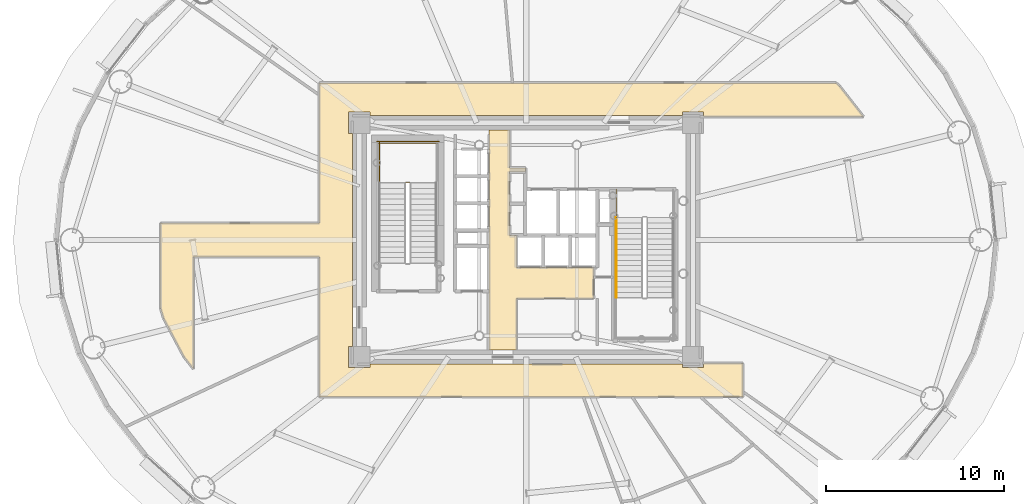
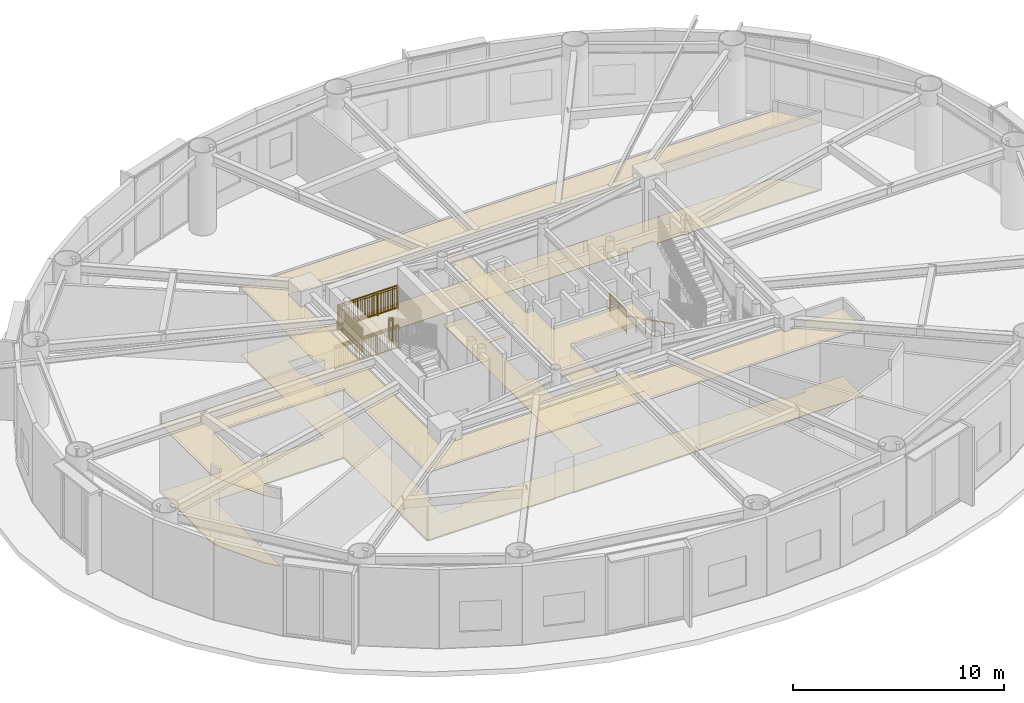
# One storey, part 34 of 38: 6 railings, 4 coverings.
"""IFC4 building model written with IfcOpenShell, lengths in metres."""

from ifc_helpers import new_model, si_unit, direction, frame, origin, origin_2d, place, context, subcontext, project, spatial, polyline, rectangle, outline, extrude, source, transform, mapped, material, layer, layer_set, type_object, element, save


model = new_model("IFC4")

# Units and contexts
model_context = context("Model", 3, precision=1e-05, world=origin(), true_north=direction((0.0, 1.0)))
body_context = subcontext(model_context, "Body", "Model", "MODEL_VIEW")
ifc_project = project(units=[si_unit("LENGTHUNIT", "METRE"), si_unit("AREAUNIT", "SQUARE_METRE"), si_unit("VOLUMEUNIT", "CUBIC_METRE"), si_unit("PLANEANGLEUNIT", "RADIAN"), si_unit("MASSUNIT", "GRAM", prefix="KILO")], contexts=[model_context])

# Site, building, storey
site_placement = place(None, origin())
site = spatial("IfcSite", under=ifc_project, at=site_placement, CompositionType="ELEMENT")
building_placement = place(site_placement, origin())
building = spatial("IfcBuilding", under=site, at=building_placement, Name="Linh Dai School and Residence Tower", CompositionType="ELEMENT")
storey_placement = place(building_placement, frame((0.0, 0.0, 151.35009765625)))
storey = spatial("IfcBuildingStorey", under=building, at=storey_placement, Name="L36", CompositionType="ELEMENT", Elevation=151.35009765625)

# Coverings
ifc_material_1 = material(Name="Mineral Fibre Acoustic Suspended Ceiling", Category="masonry")
ifc_layer_1 = layer(ifc_material_1, 0.02001953125)
ifc_layer_set_1 = layer_set([ifc_layer_1], Name="Mineral Fibre Acoustic Suspended Ceiling")
covering_type_1 = type_object("IfcCoveringType", Name="COV-CEIL-AC-20", PredefinedType="CEILING", material=ifc_layer_set_1)
covering_1_placement = place(storey_placement, frame((0.0, 0.0, 3.89990234375)))
element("IfcCovering", 1, at=covering_1_placement, inside=storey, type_object=covering_type_1, Name="L36 Passenger Lift Lobby Suspended Ceiling", PredefinedType="CEILING", context=body_context, shape_type="SweptSolid", body=[
    extrude(outline(polyline([(35.050048828125, 33.199951171875), (35.050048828125, 31.050048828125), (35.949951171875, 31.050048828125), (35.949951171875, 30.85009765625), (35.050048828125, 30.85009765625), (35.050048828125, 27.25), (35.449951171875, 27.25), (35.449951171875, 25.449951171875), (39.800048828125, 25.449951171875), (39.800048828125, 23.699951171875), (35.449951171875, 23.699951171875), (35.449951171875, 20.800048828125), (33.89990234375, 20.800048828125), (33.89990234375, 33.199951171875), (35.050048828125, 33.199951171875)])), origin(), (0.0, 0.0, 1.0), 0.02001953125),
])
covering_2_placement = place(storey_placement, frame((0.0, 0.0, 3.89990234375)))
element("IfcCovering", 2, at=covering_2_placement, inside=storey, type_object=covering_type_1, Name="L36 Residential Floor Corridor Suspended Ceiling", PredefinedType="CEILING", context=body_context, shape_type="SweptSolid", body=[
    extrude(outline(polyline([(17.25, 19.734375), (16.720458984375, 20.410888671875), (15.57421875, 22.577880859375), (15.39990234375, 23.14599609375), (15.39990234375, 27.949951171875), (24.35009765625, 27.949951171875), (24.35009765625, 35.85009765625), (53.453857421875, 35.85009765625), (53.6533203125, 35.6669921875), (54.9970703125, 33.949951171875), (46.0, 33.949951171875), (46.0, 34.199951171875), (44.800048828125, 34.199951171875), (44.800048828125, 34.0), (27.199951171875, 34.0), (27.199951171875, 34.199951171875), (26.0, 34.199951171875), (26.0, 33.0), (26.199951171875, 33.0), (26.199951171875, 21.0), (26.0, 21.0), (26.0, 19.800048828125), (27.199951171875, 19.800048828125), (27.199951171875, 20.0), (44.800048828125, 20.0), (44.800048828125, 19.800048828125), (46.0, 19.800048828125), (46.0, 20.050048828125), (48.199951171875, 20.050048828125), (48.199951171875, 18.14990234375), (24.35009765625, 18.14990234375), (24.35009765625, 26.050048828125), (17.25, 26.050048828125), (17.25, 19.734375)])), origin(), (0.0, 0.0, 1.0), 0.02001953125),
])
ifc_material_2 = material(Name="Polished Terrazzo Floor Finish", Category="masonry")
ifc_layer_2 = layer(ifc_material_2, 0.02490234375)
ifc_layer_set_2 = layer_set([ifc_layer_2], Name="Polished Terrazzo Floor Finish")
covering_type_2 = type_object("IfcCoveringType", Name="COV-FLR-TRZ-25", PredefinedType="FLOORING", material=ifc_layer_set_2)
covering_3_placement = place(storey_placement, origin())
element("IfcCovering", 3, at=covering_3_placement, inside=storey, type_object=covering_type_2, Name="L36 Passenger Lift Lobby Floor Finish", PredefinedType="FLOORING", context=body_context, shape_type="SweptSolid", body=[
    extrude(outline(polyline([(35.050048828125, 33.199951171875), (35.050048828125, 31.050048828125), (35.949951171875, 31.050048828125), (35.949951171875, 30.85009765625), (35.050048828125, 30.85009765625), (35.050048828125, 27.25), (35.449951171875, 27.25), (35.449951171875, 25.449951171875), (39.800048828125, 25.449951171875), (39.800048828125, 23.699951171875), (35.449951171875, 23.699951171875), (35.449951171875, 20.800048828125), (33.89990234375, 20.800048828125), (33.89990234375, 33.199951171875), (35.050048828125, 33.199951171875)])), origin(), (0.0, 0.0, 1.0), 0.02001953125),
])
covering_4_placement = place(storey_placement, origin())
element("IfcCovering", 4, at=covering_4_placement, inside=storey, type_object=covering_type_2, Name="L36 Residential Floor Corridor Floor Finish", PredefinedType="FLOORING", context=body_context, shape_type="SweptSolid", body=[
    extrude(outline(polyline([(17.25, 19.734375), (16.720458984375, 20.410888671875), (15.57421875, 22.577880859375), (15.39990234375, 23.14599609375), (15.39990234375, 27.949951171875), (24.35009765625, 27.949951171875), (24.35009765625, 35.85009765625), (53.453857421875, 35.85009765625), (53.6533203125, 35.6669921875), (54.9970703125, 33.949951171875), (46.0, 33.949951171875), (46.0, 34.199951171875), (44.800048828125, 34.199951171875), (44.800048828125, 34.0), (27.199951171875, 34.0), (27.199951171875, 34.199951171875), (26.0, 34.199951171875), (26.0, 33.0), (26.199951171875, 33.0), (26.199951171875, 21.0), (26.0, 21.0), (26.0, 19.800048828125), (27.199951171875, 19.800048828125), (27.199951171875, 20.0), (44.800048828125, 20.0), (44.800048828125, 19.800048828125), (46.0, 19.800048828125), (46.0, 20.050048828125), (48.199951171875, 20.050048828125), (48.199951171875, 18.14990234375), (24.35009765625, 18.14990234375), (24.35009765625, 26.050048828125), (17.25, 26.050048828125), (17.25, 19.734375)])), origin(), (0.0, 0.0, 1.0), 0.02001953125),
])

# Railings
ifc_material_3 = material(Name="Structural Steel S355JR", Category="steel")
railing_type_1 = type_object("IfcRailingType", Name="RL-ST-GUARD-1400", PredefinedType="GUARDRAIL", material=ifc_material_3)
shared_shape_1 = source(origin(), body_context, "Body", "SweptSolid", [
    extrude(rectangle(XDim=0.048095703125, YDim=0.048095703125, at=origin_2d()), frame((0.0, 0.0, 1.3759765625), z_axis=(-1.0, 0.0, 0.0), x_axis=(0.0, -1.0, 0.0)), (0.0, 0.0, 1.0), 0.199951171875),
    extrude(rectangle(XDim=0.048095703125, YDim=0.048095703125, at=origin_2d()), frame((0.0, 0.0, 0.10009765625), z_axis=(-1.0, 0.0, 0.0), x_axis=(0.0, -1.0, 0.0)), (0.0, 0.0, 1.0), 0.199951171875),
    extrude(rectangle(XDim=0.030029296875, YDim=0.030029296875, at=origin_2d()), frame((0.0, 0.0, 1.239990234375), z_axis=(-1.0, 0.0, 0.0), x_axis=(0.0, -1.0, 0.0)), (0.0, 0.0, 1.0), 0.199951171875),
    extrude(rectangle(XDim=0.0419921875, YDim=0.0419921875, at=origin_2d()), origin(), (0.0, 0.0, 1.0), 1.3759765625),
    extrude(rectangle(XDim=0.0419921875, YDim=0.0419921875, at=origin_2d()), frame((-0.199951171875, 0.0, 0.0)), (0.0, 0.0, 1.0), 1.3759765625),
])
railing_1_placement = place(storey_placement, frame((29.429931640625, 30.25, 2.39990234375)))
element("IfcRailing", 5, at=railing_1_placement, inside=storey, type_object=railing_type_1, Name="L36 ST1 stair guard 2", PredefinedType="GUARDRAIL", context=body_context, shape_type="MappedRepresentation", body=[
    mapped(shared_shape_1, transform((0.0, 0.0, 0.0), x_axis=(1.0, 0.0, 0.0), y_axis=(0.0, 1.0, 0.0), z_axis=(0.0, 0.0, 1.0), scale=1.0)),
])
shared_shape_2 = source(origin(), body_context, "Body", "SweptSolid", [
    extrude(rectangle(XDim=0.048095703125, YDim=0.048095703125, at=origin_2d()), frame((0.0, 0.0, 1.3759765625), z_axis=(-1.0, 0.0, 0.0), x_axis=(0.0, -1.0, 0.0)), (0.0, 0.0, 1.0), 3.300048828125),
    extrude(rectangle(XDim=0.048095703125, YDim=0.048095703125, at=origin_2d()), frame((0.0, 0.0, 0.10009765625), z_axis=(-1.0, 0.0, 0.0), x_axis=(0.0, -1.0, 0.0)), (0.0, 0.0, 1.0), 3.300048828125),
    extrude(rectangle(XDim=0.030029296875, YDim=0.030029296875, at=origin_2d()), frame((0.0, 0.0, 1.239990234375), z_axis=(-1.0, 0.0, 0.0), x_axis=(0.0, -1.0, 0.0)), (0.0, 0.0, 1.0), 3.300048828125),
    extrude(rectangle(XDim=0.02001953125, YDim=0.02001953125, at=origin_2d()), frame((-0.09716796875, 0.0, 0.10009765625)), (0.0, 0.0, 1.0), 1.251708984375),
    extrude(rectangle(XDim=0.02001953125, YDim=0.02001953125, at=origin_2d()), frame((-0.194091796875, 0.0, 0.10009765625)), (0.0, 0.0, 1.0), 1.251708984375),
    extrude(rectangle(XDim=0.02001953125, YDim=0.02001953125, at=origin_2d()), frame((-0.291259765625, 0.0, 0.10009765625)), (0.0, 0.0, 1.0), 1.251708984375),
    extrude(rectangle(XDim=0.02001953125, YDim=0.02001953125, at=origin_2d()), frame((-0.38818359375, 0.0, 0.10009765625)), (0.0, 0.0, 1.0), 1.251708984375),
    extrude(rectangle(XDim=0.02001953125, YDim=0.02001953125, at=origin_2d()), frame((-0.4853515625, 0.0, 0.10009765625)), (0.0, 0.0, 1.0), 1.251708984375),
    extrude(rectangle(XDim=0.02001953125, YDim=0.02001953125, at=origin_2d()), frame((-0.582275390625, 0.0, 0.10009765625)), (0.0, 0.0, 1.0), 1.251708984375),
    extrude(rectangle(XDim=0.02001953125, YDim=0.02001953125, at=origin_2d()), frame((-0.679443359375, 0.0, 0.10009765625)), (0.0, 0.0, 1.0), 1.251708984375),
    extrude(rectangle(XDim=0.02001953125, YDim=0.02001953125, at=origin_2d()), frame((-0.7763671875, 0.0, 0.10009765625)), (0.0, 0.0, 1.0), 1.251708984375),
    extrude(rectangle(XDim=0.02001953125, YDim=0.02001953125, at=origin_2d()), frame((-0.87353515625, 0.0, 0.10009765625)), (0.0, 0.0, 1.0), 1.251708984375),
    extrude(rectangle(XDim=0.02001953125, YDim=0.02001953125, at=origin_2d()), frame((-0.970703125, 0.0, 0.10009765625)), (0.0, 0.0, 1.0), 1.251708984375),
    extrude(rectangle(XDim=0.02001953125, YDim=0.02001953125, at=origin_2d()), frame((-1.164794921875, 0.0, 0.10009765625)), (0.0, 0.0, 1.0), 1.251708984375),
    extrude(rectangle(XDim=0.02001953125, YDim=0.02001953125, at=origin_2d()), frame((-1.26171875, 0.0, 0.10009765625)), (0.0, 0.0, 1.0), 1.251708984375),
    extrude(rectangle(XDim=0.02001953125, YDim=0.02001953125, at=origin_2d()), frame((-1.35888671875, 0.0, 0.10009765625)), (0.0, 0.0, 1.0), 1.251708984375),
    extrude(rectangle(XDim=0.02001953125, YDim=0.02001953125, at=origin_2d()), frame((-1.455810546875, 0.0, 0.10009765625)), (0.0, 0.0, 1.0), 1.251708984375),
    extrude(rectangle(XDim=0.02001953125, YDim=0.02001953125, at=origin_2d()), frame((-1.552978515625, 0.0, 0.10009765625)), (0.0, 0.0, 1.0), 1.251708984375),
    extrude(rectangle(XDim=0.02001953125, YDim=0.02001953125, at=origin_2d()), frame((-1.64990234375, 0.0, 0.10009765625)), (0.0, 0.0, 1.0), 1.251708984375),
    extrude(rectangle(XDim=0.02001953125, YDim=0.02001953125, at=origin_2d()), frame((-1.7470703125, 0.0, 0.10009765625)), (0.0, 0.0, 1.0), 1.251708984375),
    extrude(rectangle(XDim=0.02001953125, YDim=0.02001953125, at=origin_2d()), frame((-1.84423828125, 0.0, 0.10009765625)), (0.0, 0.0, 1.0), 1.251708984375),
    extrude(rectangle(XDim=0.02001953125, YDim=0.02001953125, at=origin_2d()), frame((-1.941162109375, 0.0, 0.10009765625)), (0.0, 0.0, 1.0), 1.251708984375),
    extrude(rectangle(XDim=0.02001953125, YDim=0.02001953125, at=origin_2d()), frame((-2.038330078125, 0.0, 0.10009765625)), (0.0, 0.0, 1.0), 1.251708984375),
    extrude(rectangle(XDim=0.02001953125, YDim=0.02001953125, at=origin_2d()), frame((-2.13525390625, 0.0, 0.10009765625)), (0.0, 0.0, 1.0), 1.251708984375),
    extrude(rectangle(XDim=0.02001953125, YDim=0.02001953125, at=origin_2d()), frame((-2.329345703125, 0.0, 0.10009765625)), (0.0, 0.0, 1.0), 1.251708984375),
    extrude(rectangle(XDim=0.02001953125, YDim=0.02001953125, at=origin_2d()), frame((-2.426513671875, 0.0, 0.10009765625)), (0.0, 0.0, 1.0), 1.251708984375),
    extrude(rectangle(XDim=0.02001953125, YDim=0.02001953125, at=origin_2d()), frame((-2.523681640625, 0.0, 0.10009765625)), (0.0, 0.0, 1.0), 1.251708984375),
    extrude(rectangle(XDim=0.02001953125, YDim=0.02001953125, at=origin_2d()), frame((-2.62060546875, 0.0, 0.10009765625)), (0.0, 0.0, 1.0), 1.251708984375),
    extrude(rectangle(XDim=0.02001953125, YDim=0.02001953125, at=origin_2d()), frame((-2.7177734375, 0.0, 0.10009765625)), (0.0, 0.0, 1.0), 1.251708984375),
    extrude(rectangle(XDim=0.02001953125, YDim=0.02001953125, at=origin_2d()), frame((-2.814697265625, 0.0, 0.10009765625)), (0.0, 0.0, 1.0), 1.251708984375),
    extrude(rectangle(XDim=0.02001953125, YDim=0.02001953125, at=origin_2d()), frame((-2.911865234375, 0.0, 0.10009765625)), (0.0, 0.0, 1.0), 1.251708984375),
    extrude(rectangle(XDim=0.02001953125, YDim=0.02001953125, at=origin_2d()), frame((-3.0087890625, 0.0, 0.10009765625)), (0.0, 0.0, 1.0), 1.251708984375),
    extrude(rectangle(XDim=0.02001953125, YDim=0.02001953125, at=origin_2d()), frame((-3.10595703125, 0.0, 0.10009765625)), (0.0, 0.0, 1.0), 1.251708984375),
    extrude(rectangle(XDim=0.02001953125, YDim=0.02001953125, at=origin_2d()), frame((-3.202880859375, 0.0, 0.10009765625)), (0.0, 0.0, 1.0), 1.251708984375),
    extrude(rectangle(XDim=0.0419921875, YDim=0.0419921875, at=origin_2d()), origin(), (0.0, 0.0, 1.0), 1.3759765625),
    extrude(rectangle(XDim=0.0419921875, YDim=0.0419921875, at=origin_2d()), frame((-1.10009765625, 0.0, 0.0)), (0.0, 0.0, 1.0), 1.3759765625),
    extrude(rectangle(XDim=0.0419921875, YDim=0.0419921875, at=origin_2d()), frame((-2.199951171875, 0.0, 0.0)), (0.0, 0.0, 1.0), 1.3759765625),
    extrude(rectangle(XDim=0.0419921875, YDim=0.0419921875, at=origin_2d()), frame((-3.300048828125, 0.0, 0.0)), (0.0, 0.0, 1.0), 1.3759765625),
])
railing_2_placement = place(storey_placement, frame((30.97998046875, 32.449951171875, 2.39990234375)))
element("IfcRailing", 6, at=railing_2_placement, inside=storey, type_object=railing_type_1, Name="L36 ST1 stair guard 5", PredefinedType="GUARDRAIL", context=body_context, shape_type="MappedRepresentation", body=[
    mapped(shared_shape_2, transform((0.0, 0.0, 0.0), x_axis=(1.0, 0.0, 0.0), y_axis=(0.0, 1.0, 0.0), z_axis=(0.0, 0.0, 1.0), scale=1.0)),
])
shared_shape_3 = source(origin(), body_context, "Body", "SweptSolid", [
    extrude(rectangle(XDim=0.048095703125, YDim=0.048095703125, at=origin_2d()), frame((0.0, 0.0, 1.3759765625), z_axis=(-1.0, 0.0, 0.0), x_axis=(0.0, -1.0, 0.0)), (0.0, 0.0, 1.0), 3.5),
    extrude(rectangle(XDim=0.048095703125, YDim=0.048095703125, at=origin_2d()), frame((0.0, 0.0, 0.10009765625), z_axis=(-1.0, 0.0, 0.0), x_axis=(0.0, -1.0, 0.0)), (0.0, 0.0, 1.0), 3.5),
    extrude(rectangle(XDim=0.030029296875, YDim=0.030029296875, at=origin_2d()), frame((0.0, 0.0, 1.239990234375), z_axis=(-1.0, 0.0, 0.0), x_axis=(0.0, -1.0, 0.0)), (0.0, 0.0, 1.0), 3.5),
    extrude(rectangle(XDim=0.02001953125, YDim=0.02001953125, at=origin_2d()), frame((-0.09716796875, 0.0, 0.10009765625)), (0.0, 0.0, 1.0), 1.251708984375),
    extrude(rectangle(XDim=0.02001953125, YDim=0.02001953125, at=origin_2d()), frame((-0.1943359375, 0.0, 0.10009765625)), (0.0, 0.0, 1.0), 1.251708984375),
    extrude(rectangle(XDim=0.02001953125, YDim=0.02001953125, at=origin_2d()), frame((-0.291748046875, 0.0, 0.10009765625)), (0.0, 0.0, 1.0), 1.251708984375),
    extrude(rectangle(XDim=0.02001953125, YDim=0.02001953125, at=origin_2d()), frame((-0.388916015625, 0.0, 0.10009765625)), (0.0, 0.0, 1.0), 1.251708984375),
    extrude(rectangle(XDim=0.02001953125, YDim=0.02001953125, at=origin_2d()), frame((-0.486083984375, 0.0, 0.10009765625)), (0.0, 0.0, 1.0), 1.251708984375),
    extrude(rectangle(XDim=0.02001953125, YDim=0.02001953125, at=origin_2d()), frame((-0.583251953125, 0.0, 0.10009765625)), (0.0, 0.0, 1.0), 1.251708984375),
    extrude(rectangle(XDim=0.02001953125, YDim=0.02001953125, at=origin_2d()), frame((-0.6806640625, 0.0, 0.10009765625)), (0.0, 0.0, 1.0), 1.251708984375),
    extrude(rectangle(XDim=0.02001953125, YDim=0.02001953125, at=origin_2d()), frame((-0.77783203125, 0.0, 0.10009765625)), (0.0, 0.0, 1.0), 1.251708984375),
    extrude(rectangle(XDim=0.02001953125, YDim=0.02001953125, at=origin_2d()), frame((-0.875, 0.0, 0.10009765625)), (0.0, 0.0, 1.0), 1.251708984375),
    extrude(rectangle(XDim=0.02001953125, YDim=0.02001953125, at=origin_2d()), frame((-0.97216796875, 0.0, 0.10009765625)), (0.0, 0.0, 1.0), 1.251708984375),
    extrude(rectangle(XDim=0.02001953125, YDim=0.02001953125, at=origin_2d()), frame((-1.0693359375, 0.0, 0.10009765625)), (0.0, 0.0, 1.0), 1.251708984375),
    extrude(rectangle(XDim=0.02001953125, YDim=0.02001953125, at=origin_2d()), frame((-1.263916015625, 0.0, 0.10009765625)), (0.0, 0.0, 1.0), 1.251708984375),
    extrude(rectangle(XDim=0.02001953125, YDim=0.02001953125, at=origin_2d()), frame((-1.361083984375, 0.0, 0.10009765625)), (0.0, 0.0, 1.0), 1.251708984375),
    extrude(rectangle(XDim=0.02001953125, YDim=0.02001953125, at=origin_2d()), frame((-1.458251953125, 0.0, 0.10009765625)), (0.0, 0.0, 1.0), 1.251708984375),
    extrude(rectangle(XDim=0.02001953125, YDim=0.02001953125, at=origin_2d()), frame((-1.5556640625, 0.0, 0.10009765625)), (0.0, 0.0, 1.0), 1.251708984375),
    extrude(rectangle(XDim=0.02001953125, YDim=0.02001953125, at=origin_2d()), frame((-1.65283203125, 0.0, 0.10009765625)), (0.0, 0.0, 1.0), 1.251708984375),
    extrude(rectangle(XDim=0.02001953125, YDim=0.02001953125, at=origin_2d()), frame((-1.75, 0.0, 0.10009765625)), (0.0, 0.0, 1.0), 1.251708984375),
    extrude(rectangle(XDim=0.02001953125, YDim=0.02001953125, at=origin_2d()), frame((-1.84716796875, 0.0, 0.10009765625)), (0.0, 0.0, 1.0), 1.251708984375),
    extrude(rectangle(XDim=0.02001953125, YDim=0.02001953125, at=origin_2d()), frame((-1.9443359375, 0.0, 0.10009765625)), (0.0, 0.0, 1.0), 1.251708984375),
    extrude(rectangle(XDim=0.02001953125, YDim=0.02001953125, at=origin_2d()), frame((-2.041748046875, 0.0, 0.10009765625)), (0.0, 0.0, 1.0), 1.251708984375),
    extrude(rectangle(XDim=0.02001953125, YDim=0.02001953125, at=origin_2d()), frame((-2.138916015625, 0.0, 0.10009765625)), (0.0, 0.0, 1.0), 1.251708984375),
    extrude(rectangle(XDim=0.02001953125, YDim=0.02001953125, at=origin_2d()), frame((-2.236083984375, 0.0, 0.10009765625)), (0.0, 0.0, 1.0), 1.251708984375),
    extrude(rectangle(XDim=0.02001953125, YDim=0.02001953125, at=origin_2d()), frame((-2.4306640625, 0.0, 0.10009765625)), (0.0, 0.0, 1.0), 1.251708984375),
    extrude(rectangle(XDim=0.02001953125, YDim=0.02001953125, at=origin_2d()), frame((-2.52783203125, 0.0, 0.10009765625)), (0.0, 0.0, 1.0), 1.251708984375),
    extrude(rectangle(XDim=0.02001953125, YDim=0.02001953125, at=origin_2d()), frame((-2.625, 0.0, 0.10009765625)), (0.0, 0.0, 1.0), 1.251708984375),
    extrude(rectangle(XDim=0.02001953125, YDim=0.02001953125, at=origin_2d()), frame((-2.72216796875, 0.0, 0.10009765625)), (0.0, 0.0, 1.0), 1.251708984375),
    extrude(rectangle(XDim=0.02001953125, YDim=0.02001953125, at=origin_2d()), frame((-2.8193359375, 0.0, 0.10009765625)), (0.0, 0.0, 1.0), 1.251708984375),
    extrude(rectangle(XDim=0.02001953125, YDim=0.02001953125, at=origin_2d()), frame((-2.916748046875, 0.0, 0.10009765625)), (0.0, 0.0, 1.0), 1.251708984375),
    extrude(rectangle(XDim=0.02001953125, YDim=0.02001953125, at=origin_2d()), frame((-3.013916015625, 0.0, 0.10009765625)), (0.0, 0.0, 1.0), 1.251708984375),
    extrude(rectangle(XDim=0.02001953125, YDim=0.02001953125, at=origin_2d()), frame((-3.111083984375, 0.0, 0.10009765625)), (0.0, 0.0, 1.0), 1.251708984375),
    extrude(rectangle(XDim=0.02001953125, YDim=0.02001953125, at=origin_2d()), frame((-3.208251953125, 0.0, 0.10009765625)), (0.0, 0.0, 1.0), 1.251708984375),
    extrude(rectangle(XDim=0.02001953125, YDim=0.02001953125, at=origin_2d()), frame((-3.3056640625, 0.0, 0.10009765625)), (0.0, 0.0, 1.0), 1.251708984375),
    extrude(rectangle(XDim=0.02001953125, YDim=0.02001953125, at=origin_2d()), frame((-3.40283203125, 0.0, 0.10009765625)), (0.0, 0.0, 1.0), 1.251708984375),
    extrude(rectangle(XDim=0.0419921875, YDim=0.0419921875, at=origin_2d()), origin(), (0.0, 0.0, 1.0), 1.3759765625),
    extrude(rectangle(XDim=0.0419921875, YDim=0.0419921875, at=origin_2d()), frame((-1.166748046875, 0.0, 0.0)), (0.0, 0.0, 1.0), 1.3759765625),
    extrude(rectangle(XDim=0.0419921875, YDim=0.0419921875, at=origin_2d()), frame((-2.333251953125, 0.0, 0.0)), (0.0, 0.0, 1.0), 1.3759765625),
    extrude(rectangle(XDim=0.0419921875, YDim=0.0419921875, at=origin_2d()), frame((-3.5, 0.0, 0.0)), (0.0, 0.0, 1.0), 1.3759765625),
])
railing_3_placement = place(storey_placement, frame((31.080078125, 32.550048828125, 0.0)))
element("IfcRailing", 7, at=railing_3_placement, inside=storey, type_object=railing_type_1, Name="L36 ST1 stair guard 12", PredefinedType="GUARDRAIL", context=body_context, shape_type="MappedRepresentation", body=[
    mapped(shared_shape_3, transform((0.0, 0.0, 0.0), x_axis=(1.0, 0.0, 0.0), y_axis=(0.0, 1.0, 0.0), z_axis=(0.0, 0.0, 1.0), scale=1.0)),
])
shared_shape_4 = source(origin(), body_context, "Body", "SweptSolid", [
    extrude(rectangle(XDim=0.048095703125, YDim=0.048095703125, at=origin_2d()), frame((0.0, 0.0, 1.3759765625), z_axis=(0.0, 1.0, 0.0), x_axis=(-1.0, 0.0, 0.0)), (0.0, 0.0, 1.0), 2.300048828125),
    extrude(rectangle(XDim=0.048095703125, YDim=0.048095703125, at=origin_2d()), frame((0.0, 0.0, 0.10009765625), z_axis=(0.0, 1.0, 0.0), x_axis=(-1.0, 0.0, 0.0)), (0.0, 0.0, 1.0), 2.300048828125),
    extrude(rectangle(XDim=0.030029296875, YDim=0.030029296875, at=origin_2d()), frame((0.0, 0.0, 1.239990234375), z_axis=(0.0, 1.0, 0.0), x_axis=(-1.0, 0.0, 0.0)), (0.0, 0.0, 1.0), 2.300048828125),
    extrude(rectangle(XDim=0.02001953125, YDim=0.02001953125, at=origin_2d()), frame((0.0, 0.095947265625, 0.10009765625)), (0.0, 0.0, 1.0), 1.251708984375),
    extrude(rectangle(XDim=0.02001953125, YDim=0.02001953125, at=origin_2d()), frame((0.0, 0.191650390625, 0.10009765625)), (0.0, 0.0, 1.0), 1.251708984375),
    extrude(rectangle(XDim=0.02001953125, YDim=0.02001953125, at=origin_2d()), frame((0.0, 0.28759765625, 0.10009765625)), (0.0, 0.0, 1.0), 1.251708984375),
    extrude(rectangle(XDim=0.02001953125, YDim=0.02001953125, at=origin_2d()), frame((0.0, 0.38330078125, 0.10009765625)), (0.0, 0.0, 1.0), 1.251708984375),
    extrude(rectangle(XDim=0.02001953125, YDim=0.02001953125, at=origin_2d()), frame((0.0, 0.479248046875, 0.10009765625)), (0.0, 0.0, 1.0), 1.251708984375),
    extrude(rectangle(XDim=0.02001953125, YDim=0.02001953125, at=origin_2d()), frame((0.0, 0.574951171875, 0.10009765625)), (0.0, 0.0, 1.0), 1.251708984375),
    extrude(rectangle(XDim=0.02001953125, YDim=0.02001953125, at=origin_2d()), frame((0.0, 0.6708984375, 0.10009765625)), (0.0, 0.0, 1.0), 1.251708984375),
    extrude(rectangle(XDim=0.02001953125, YDim=0.02001953125, at=origin_2d()), frame((0.0, 0.7666015625, 0.10009765625)), (0.0, 0.0, 1.0), 1.251708984375),
    extrude(rectangle(XDim=0.02001953125, YDim=0.02001953125, at=origin_2d()), frame((0.0, 0.862548828125, 0.10009765625)), (0.0, 0.0, 1.0), 1.251708984375),
    extrude(rectangle(XDim=0.02001953125, YDim=0.02001953125, at=origin_2d()), frame((0.0, 0.958251953125, 0.10009765625)), (0.0, 0.0, 1.0), 1.251708984375),
    extrude(rectangle(XDim=0.02001953125, YDim=0.02001953125, at=origin_2d()), frame((0.0, 1.05419921875, 0.10009765625)), (0.0, 0.0, 1.0), 1.251708984375),
    extrude(rectangle(XDim=0.02001953125, YDim=0.02001953125, at=origin_2d()), frame((0.0, 1.245849609375, 0.10009765625)), (0.0, 0.0, 1.0), 1.251708984375),
    extrude(rectangle(XDim=0.02001953125, YDim=0.02001953125, at=origin_2d()), frame((0.0, 1.341796875, 0.10009765625)), (0.0, 0.0, 1.0), 1.251708984375),
    extrude(rectangle(XDim=0.02001953125, YDim=0.02001953125, at=origin_2d()), frame((0.0, 1.4375, 0.10009765625)), (0.0, 0.0, 1.0), 1.251708984375),
    extrude(rectangle(XDim=0.02001953125, YDim=0.02001953125, at=origin_2d()), frame((0.0, 1.533447265625, 0.10009765625)), (0.0, 0.0, 1.0), 1.251708984375),
    extrude(rectangle(XDim=0.02001953125, YDim=0.02001953125, at=origin_2d()), frame((0.0, 1.629150390625, 0.10009765625)), (0.0, 0.0, 1.0), 1.251708984375),
    extrude(rectangle(XDim=0.02001953125, YDim=0.02001953125, at=origin_2d()), frame((0.0, 1.72509765625, 0.10009765625)), (0.0, 0.0, 1.0), 1.251708984375),
    extrude(rectangle(XDim=0.02001953125, YDim=0.02001953125, at=origin_2d()), frame((0.0, 1.82080078125, 0.10009765625)), (0.0, 0.0, 1.0), 1.251708984375),
    extrude(rectangle(XDim=0.02001953125, YDim=0.02001953125, at=origin_2d()), frame((0.0, 1.916748046875, 0.10009765625)), (0.0, 0.0, 1.0), 1.251708984375),
    extrude(rectangle(XDim=0.02001953125, YDim=0.02001953125, at=origin_2d()), frame((0.0, 2.012451171875, 0.10009765625)), (0.0, 0.0, 1.0), 1.251708984375),
    extrude(rectangle(XDim=0.02001953125, YDim=0.02001953125, at=origin_2d()), frame((0.0, 2.1083984375, 0.10009765625)), (0.0, 0.0, 1.0), 1.251708984375),
    extrude(rectangle(XDim=0.02001953125, YDim=0.02001953125, at=origin_2d()), frame((0.0, 2.2041015625, 0.10009765625)), (0.0, 0.0, 1.0), 1.251708984375),
    extrude(rectangle(XDim=0.0419921875, YDim=0.0419921875, at=origin_2d()), origin(), (0.0, 0.0, 1.0), 1.3759765625),
    extrude(rectangle(XDim=0.0419921875, YDim=0.0419921875, at=origin_2d()), frame((0.0, 1.14990234375, 0.0)), (0.0, 0.0, 1.0), 1.3759765625),
    extrude(rectangle(XDim=0.0419921875, YDim=0.0419921875, at=origin_2d()), frame((0.0, 2.300048828125, 0.0)), (0.0, 0.0, 1.0), 1.3759765625),
])
railing_4_placement = place(storey_placement, frame((27.72998046875, 30.199951171875, 2.39990234375)))
element("IfcRailing", 8, at=railing_4_placement, inside=storey, type_object=railing_type_1, Name="L36 ST1 stair guard 4", PredefinedType="GUARDRAIL", context=body_context, shape_type="MappedRepresentation", body=[
    mapped(shared_shape_4, transform((0.0, 0.0, 0.0), x_axis=(1.0, 0.0, 0.0), y_axis=(0.0, 1.0, 0.0), z_axis=(0.0, 0.0, 1.0), scale=1.0)),
])
ifc_material_4 = material(Name="Brushed Stainless Steel Handrail", Category="steel")
railing_type_2 = type_object("IfcRailingType", Name="RL-ST-HANDRAIL-900", PredefinedType="HANDRAIL", material=ifc_material_4)
shared_shape_5 = source(origin(), body_context, "Body", "SweptSolid", [
    extrude(rectangle(XDim=0.048095703125, YDim=0.048095703125, at=origin_2d()), frame((0.0, 0.0, 0.8759765625), z_axis=(0.0, -0.894427191, 0.4472135955), x_axis=(1.0, 0.0, 0.0)), (0.0, 0.0, 1.0), 5.03125),
    extrude(rectangle(XDim=0.0419921875, YDim=0.0419921875, at=origin_2d()), origin(), (0.0, 0.0, 1.0), 0.8759765625),
    extrude(rectangle(XDim=0.0419921875, YDim=0.0419921875, at=origin_2d()), frame((0.0, -0.89990234375, 0.449951171875)), (0.0, 0.0, 1.0), 0.8759765625),
    extrude(rectangle(XDim=0.0419921875, YDim=0.0419921875, at=origin_2d()), frame((0.0, -1.800048828125, 0.89990234375)), (0.0, 0.0, 1.0), 0.8759765625),
    extrude(rectangle(XDim=0.0419921875, YDim=0.0419921875, at=origin_2d()), frame((0.0, -2.699951171875, 1.35009765625)), (0.0, 0.0, 1.0), 0.8759765625),
    extrude(rectangle(XDim=0.0419921875, YDim=0.0419921875, at=origin_2d()), frame((0.0, -3.60009765625, 1.800048828125)), (0.0, 0.0, 1.0), 0.8759765625),
    extrude(rectangle(XDim=0.0419921875, YDim=0.0419921875, at=origin_2d()), frame((0.0, -4.5, 2.25)), (0.0, 0.0, 1.0), 0.8759765625),
])
railing_5_placement = place(storey_placement, frame((41.070068359375, 28.25, 0.14990234375)))
element("IfcRailing", 9, at=railing_5_placement, inside=storey, type_object=railing_type_2, Name="L36 ST2 stair handrail 1", PredefinedType="HANDRAIL", context=body_context, shape_type="MappedRepresentation", body=[
    mapped(shared_shape_5, transform((0.0, 0.0, 0.0), x_axis=(1.0, 0.0, 0.0), y_axis=(0.0, 1.0, 0.0), z_axis=(0.0, 0.0, 1.0), scale=1.0)),
])
shared_shape_6 = source(origin(), body_context, "Body", "SweptSolid", [
    extrude(rectangle(XDim=0.048095703125, YDim=0.048095703125, at=origin_2d()), frame((0.0, 0.0, 1.3759765625), z_axis=(0.0, -1.0, 0.0), x_axis=(1.0, 0.0, 0.0)), (0.0, 0.0, 1.0), 1.60009765625),
    extrude(rectangle(XDim=0.048095703125, YDim=0.048095703125, at=origin_2d()), frame((0.0, 0.0, 0.10009765625), z_axis=(0.0, -1.0, 0.0), x_axis=(1.0, 0.0, 0.0)), (0.0, 0.0, 1.0), 1.60009765625),
    extrude(rectangle(XDim=0.030029296875, YDim=0.030029296875, at=origin_2d()), frame((0.0, 0.0, 1.239990234375), z_axis=(0.0, -1.0, 0.0), x_axis=(1.0, 0.0, 0.0)), (0.0, 0.0, 1.0), 1.60009765625),
    extrude(rectangle(XDim=0.02001953125, YDim=0.02001953125, at=origin_2d()), frame((0.0, -0.09423828125, 0.10009765625)), (0.0, 0.0, 1.0), 1.251708984375),
    extrude(rectangle(XDim=0.02001953125, YDim=0.02001953125, at=origin_2d()), frame((0.0, -0.188232421875, 0.10009765625)), (0.0, 0.0, 1.0), 1.251708984375),
    extrude(rectangle(XDim=0.02001953125, YDim=0.02001953125, at=origin_2d()), frame((0.0, -0.282470703125, 0.10009765625)), (0.0, 0.0, 1.0), 1.251708984375),
    extrude(rectangle(XDim=0.02001953125, YDim=0.02001953125, at=origin_2d()), frame((0.0, -0.37646484375, 0.10009765625)), (0.0, 0.0, 1.0), 1.251708984375),
    extrude(rectangle(XDim=0.02001953125, YDim=0.02001953125, at=origin_2d()), frame((0.0, -0.470703125, 0.10009765625)), (0.0, 0.0, 1.0), 1.251708984375),
    extrude(rectangle(XDim=0.02001953125, YDim=0.02001953125, at=origin_2d()), frame((0.0, -0.564697265625, 0.10009765625)), (0.0, 0.0, 1.0), 1.251708984375),
    extrude(rectangle(XDim=0.02001953125, YDim=0.02001953125, at=origin_2d()), frame((0.0, -0.658935546875, 0.10009765625)), (0.0, 0.0, 1.0), 1.251708984375),
    extrude(rectangle(XDim=0.02001953125, YDim=0.02001953125, at=origin_2d()), frame((0.0, -0.7529296875, 0.10009765625)), (0.0, 0.0, 1.0), 1.251708984375),
    extrude(rectangle(XDim=0.02001953125, YDim=0.02001953125, at=origin_2d()), frame((0.0, -0.84716796875, 0.10009765625)), (0.0, 0.0, 1.0), 1.251708984375),
    extrude(rectangle(XDim=0.02001953125, YDim=0.02001953125, at=origin_2d()), frame((0.0, -0.941162109375, 0.10009765625)), (0.0, 0.0, 1.0), 1.251708984375),
    extrude(rectangle(XDim=0.02001953125, YDim=0.02001953125, at=origin_2d()), frame((0.0, -1.035400390625, 0.10009765625)), (0.0, 0.0, 1.0), 1.251708984375),
    extrude(rectangle(XDim=0.02001953125, YDim=0.02001953125, at=origin_2d()), frame((0.0, -1.12939453125, 0.10009765625)), (0.0, 0.0, 1.0), 1.251708984375),
    extrude(rectangle(XDim=0.02001953125, YDim=0.02001953125, at=origin_2d()), frame((0.0, -1.2236328125, 0.10009765625)), (0.0, 0.0, 1.0), 1.251708984375),
    extrude(rectangle(XDim=0.02001953125, YDim=0.02001953125, at=origin_2d()), frame((0.0, -1.317626953125, 0.10009765625)), (0.0, 0.0, 1.0), 1.251708984375),
    extrude(rectangle(XDim=0.02001953125, YDim=0.02001953125, at=origin_2d()), frame((0.0, -1.411865234375, 0.10009765625)), (0.0, 0.0, 1.0), 1.251708984375),
    extrude(rectangle(XDim=0.02001953125, YDim=0.02001953125, at=origin_2d()), frame((0.0, -1.505859375, 0.10009765625)), (0.0, 0.0, 1.0), 1.251708984375),
    extrude(rectangle(XDim=0.0419921875, YDim=0.0419921875, at=origin_2d()), origin(), (0.0, 0.0, 1.0), 1.3759765625),
    extrude(rectangle(XDim=0.0419921875, YDim=0.0419921875, at=origin_2d()), frame((0.0, -0.800048828125, 0.0)), (0.0, 0.0, 1.0), 1.3759765625),
    extrude(rectangle(XDim=0.0419921875, YDim=0.0419921875, at=origin_2d()), frame((0.0, -1.60009765625, 0.0)), (0.0, 0.0, 1.0), 1.3759765625),
])
railing_6_placement = place(storey_placement, frame((41.070068359375, 29.85009765625, 0.0)))
element("IfcRailing", 10, at=railing_6_placement, inside=storey, type_object=railing_type_1, Name="L36 ST2 stair guard 8", PredefinedType="GUARDRAIL", context=body_context, shape_type="MappedRepresentation", body=[
    mapped(shared_shape_6, transform((0.0, 0.0, 0.0), x_axis=(1.0, 0.0, 0.0), y_axis=(0.0, 1.0, 0.0), z_axis=(0.0, 0.0, 1.0), scale=1.0)),
])

save(model, "model.ifc")
